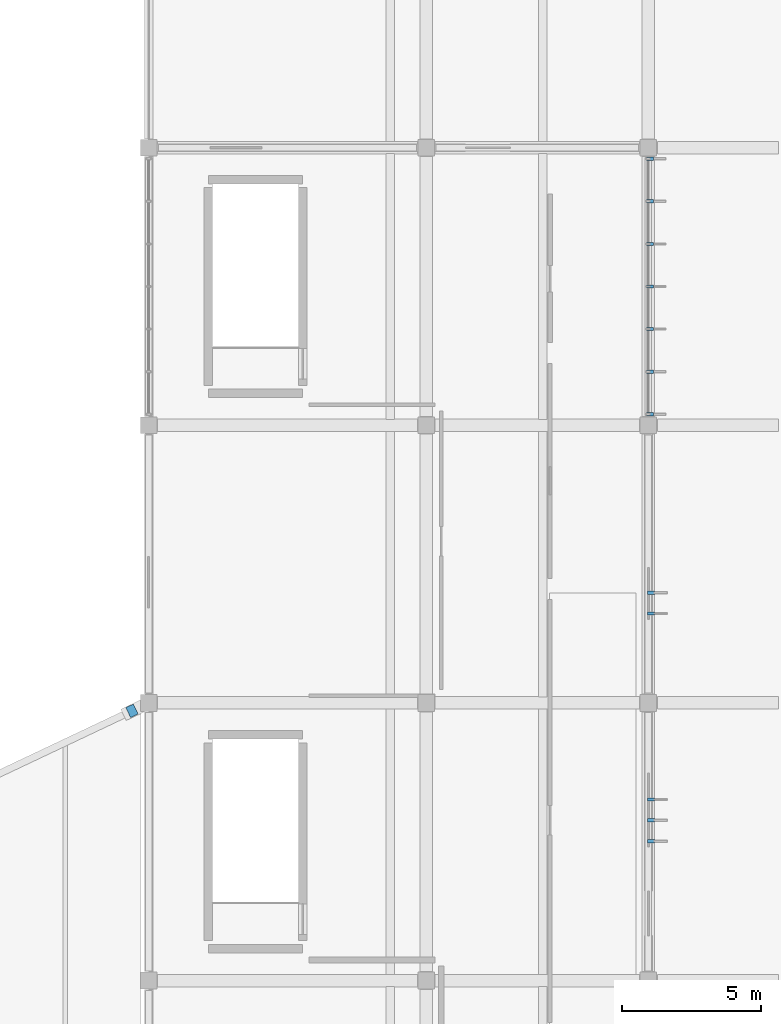
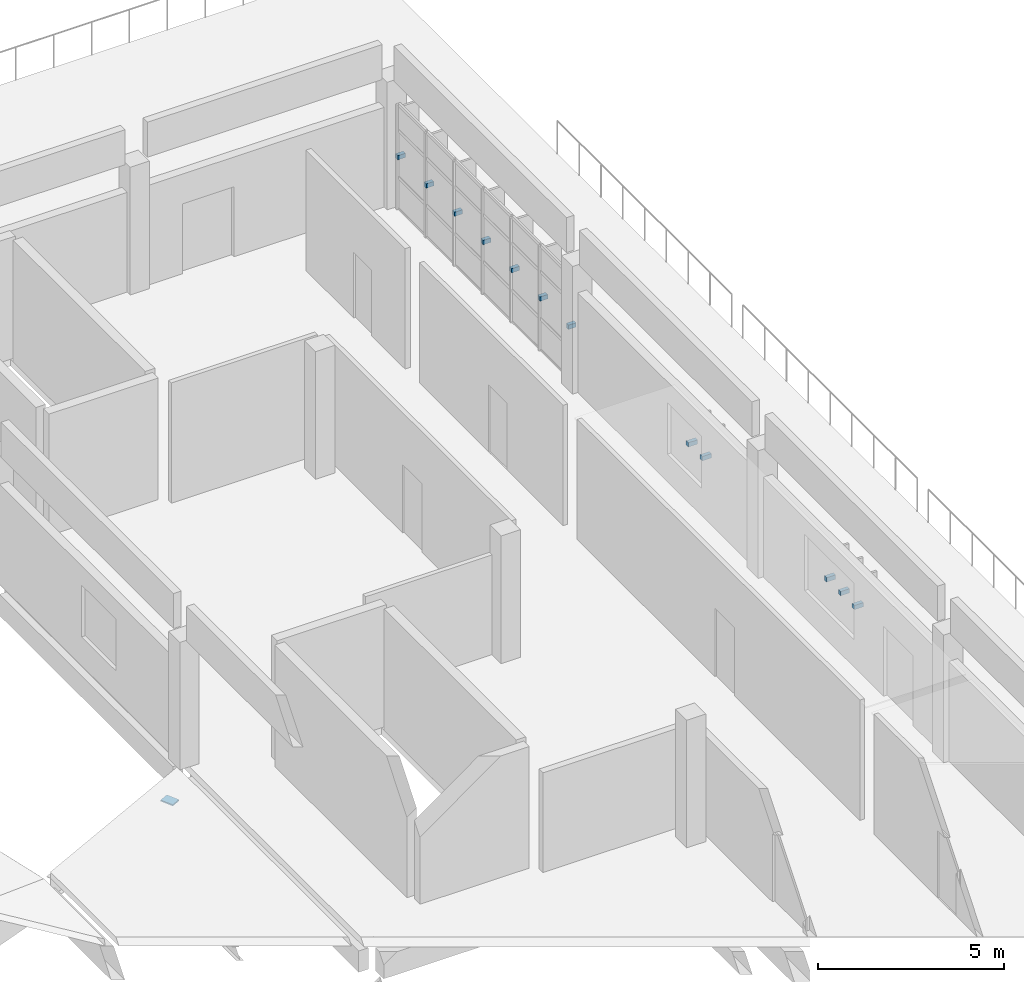
# One storey, part 36 of 39: 13 discrete accessories.
"""IFC4 building model written with IfcOpenShell, lengths in metres."""

from ifc_helpers import new_model, si_unit, direction, frame, origin, origin_2d, place, context, subcontext, project, spatial, rectangle, extrude, material, type_object, element, save


model = new_model("IFC4")

# Units and contexts
model_context = context("Model", 3, precision=1e-05, world=origin(), true_north=direction((0.0, 1.0)))
body_context = subcontext(model_context, "Body", "Model", "MODEL_VIEW")
ifc_project = project(units=[si_unit("LENGTHUNIT", "METRE"), si_unit("AREAUNIT", "SQUARE_METRE"), si_unit("VOLUMEUNIT", "CUBIC_METRE"), si_unit("PLANEANGLEUNIT", "RADIAN"), si_unit("MASSUNIT", "GRAM", prefix="KILO")], contexts=[model_context])

# Site, building, storey
site_placement = place(None, origin())
site = spatial("IfcSite", under=ifc_project, at=site_placement, CompositionType="ELEMENT")
building_placement = place(site_placement, origin())
building = spatial("IfcBuilding", under=site, at=building_placement, Name="Corvandel Quay Wholesale Market", CompositionType="ELEMENT")
storey_placement = place(building_placement, frame((0.0, 0.0, 15.0)))
storey = spatial("IfcBuildingStorey", under=building, at=storey_placement, Name="L03", CompositionType="ELEMENT", Elevation=15.0)

# Discrete accessories
ifc_material_1 = material(Name="Austenitic stainless steel Grade 316", Category="steel")
discrete_accessory_type_1 = type_object("IfcDiscreteAccessoryType", Name="Stainless Solar Fin Fixing Bracket BRK01", PredefinedType="USERDEFINED", material=ifc_material_1)
for number, where, z_axis, x_axis, name in (
    (1, (238.10009765625, 65.02001953125, 1.7548828125), (0.0, 0.0, 1.0), (1.0, 0.0, 0.0), "Fin Bracket 0899"),
    (2, (238.10009765625, 65.77001953125, 1.7548828125), (0.0, 0.0, 1.0), (1.0, 0.0, 0.0), "Fin Bracket 0900"),
    (3, (238.10009765625, 66.52001953125, 1.7548828125), (0.0, 0.0, 1.0), (1.0, 0.0, 0.0), "Fin Bracket 0901"),
    (4, (238.10009765625, 73.219970703125, 1.68017578125), (0.0, 0.0, 1.0), (1.0, 0.0, 0.0), "Fin Bracket 0902"),
    (5, (238.10009765625, 73.969970703125, 1.68017578125), (0.0, 0.0, 1.0), (1.0, 0.0, 0.0), "Fin Bracket 0903"),
):
    element("IfcDiscreteAccessory", number, at=place(storey_placement, frame(where, z_axis=z_axis, x_axis=x_axis)), inside=storey, type_object=discrete_accessory_type_1, Name=name, ObjectType="BRACKET", PredefinedType="USERDEFINED", context=body_context, shape_type="SweptSolid", body=[
        extrude(rectangle(XDim=0.280029296875, YDim=0.1201171875, at=origin_2d()), origin(), (0.0, 0.0, 1.0), 0.139892578125),
    ])
for number, where, z_axis, x_axis, name in (
    (6, (238.06005859375, 80.39990234375, 1.6552734375), (0.0, 0.0, 1.0), (1.0, 0.0, 0.0), "Fin Bracket 0904"),
    (7, (238.06005859375, 81.933349609375, 1.6552734375), (0.0, 0.0, 1.0), (1.0, 0.0, 0.0), "Fin Bracket 0905"),
    (8, (238.06005859375, 83.466796875, 1.6552734375), (0.0, 0.0, 1.0), (1.0, 0.0, 0.0), "Fin Bracket 0906"),
    (9, (238.06005859375, 85.0, 1.6552734375), (0.0, 0.0, 1.0), (1.0, 0.0, 0.0), "Fin Bracket 0907"),
    (10, (238.06005859375, 86.533203125, 1.6552734375), (0.0, 0.0, 1.0), (1.0, 0.0, 0.0), "Fin Bracket 0908"),
    (11, (238.06005859375, 88.066650390625, 1.6552734375), (0.0, 0.0, 1.0), (1.0, 0.0, 0.0), "Fin Bracket 0909"),
    (12, (238.06005859375, 89.60009765625, 1.6552734375), (0.0, 0.0, 1.0), (1.0, 0.0, 0.0), "Fin Bracket 0910"),
):
    element("IfcDiscreteAccessory", number, at=place(storey_placement, frame(where, z_axis=z_axis, x_axis=x_axis)), inside=storey, type_object=discrete_accessory_type_1, Name=name, ObjectType="BRACKET", PredefinedType="USERDEFINED", context=body_context, shape_type="SweptSolid", body=[
        extrude(rectangle(XDim=0.239990234375, YDim=0.1201171875, at=origin_2d()), origin(), (0.0, 0.0, 1.0), 0.139892578125),
    ])
ifc_material_2 = material(Name="PTFE elastomeric bearing assembly")
discrete_accessory_type_2 = type_object("IfcDiscreteAccessoryType", Name="Unguided Bi-Directional PTFE Sliding Bearing SBG01", PredefinedType="USERDEFINED", material=ifc_material_2)
discrete_accessory_placement = place(storey_placement, frame((219.39892578125, 69.715576171875, -0.923095703125), z_axis=(0.0, 0.0, 1.0), x_axis=(0.903933318548, 0.427673421689, 0.0)))
element("IfcDiscreteAccessory", 13, at=discrete_accessory_placement, inside=storey, type_object=discrete_accessory_type_2, Name="PTFE Sliding Bearing SBG-024", ObjectType="SLIDING BEARING", PredefinedType="USERDEFINED", context=body_context, shape_type="SweptSolid", body=[
    extrude(rectangle(XDim=0.300048828125, YDim=0.39990234375, at=origin_2d()), origin(), (0.0, 0.0, 1.0), 0.0400390625),
])

save(model, "model.ifc")
